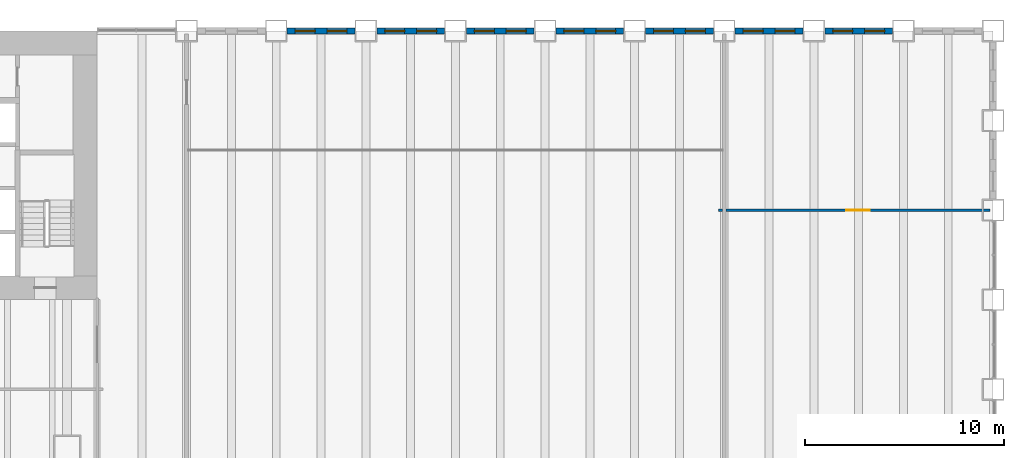
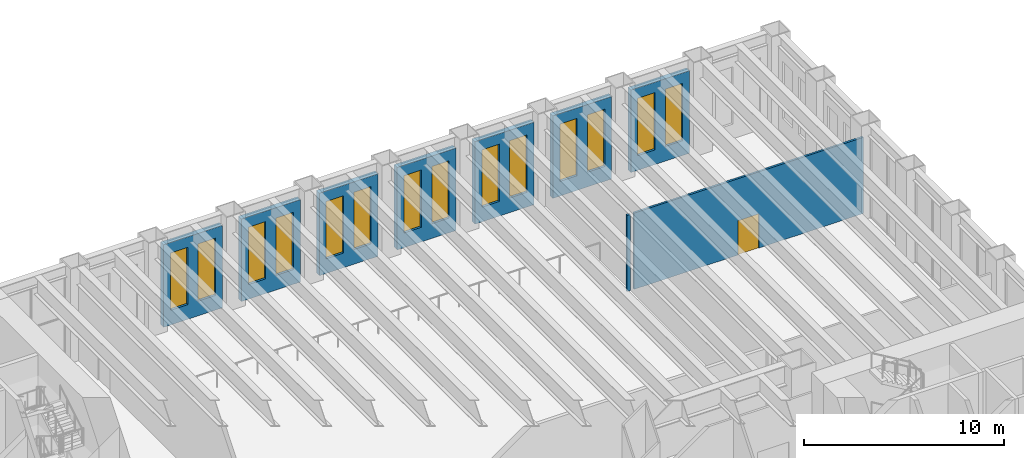
# One storey, part 13 of 19: 14 windows, 9 walls, 1 door, 15 openings.
"""IFC4 building model written with IfcOpenShell, lengths in metres."""

from ifc_helpers import new_model, si_unit, direction, frame, frame_2d, origin, place, context, subcontext, project, spatial, rectangle, extrude, material, layer, layer_set, type_object, element, fill, save


model = new_model("IFC4")

# Units and contexts
model_context = context("Model", 3, precision=1e-05, world=origin(), true_north=direction((0.0, 1.0)))
body_context = subcontext(model_context, "Body", "Model", "MODEL_VIEW")
ifc_project = project(units=[si_unit("LENGTHUNIT", "METRE"), si_unit("AREAUNIT", "SQUARE_METRE"), si_unit("VOLUMEUNIT", "CUBIC_METRE"), si_unit("PLANEANGLEUNIT", "RADIAN"), si_unit("MASSUNIT", "GRAM", prefix="KILO")], contexts=[model_context])

# Site, building, storey
site_placement = place(None, origin())
site = spatial("IfcSite", under=ifc_project, at=site_placement, CompositionType="ELEMENT")
building_placement = place(site_placement, origin())
building = spatial("IfcBuilding", under=site, at=building_placement, Name="Sennacour Bend Tower", CompositionType="ELEMENT")
storey_placement = place(building_placement, frame((0.0, 0.0, 8.0)))
storey = spatial("IfcBuildingStorey", under=building, at=storey_placement, Name="L01", CompositionType="ELEMENT", Elevation=8.0)

# Wall
ifc_material_1 = material(Name="Plasterboard partition on steel studs", Category="steel")
ifc_layer_1 = layer(ifc_material_1, 0.1201171875, Name="Plasterboard partition on steel studs", Category="steel")
ifc_layer_set_1 = layer_set([ifc_layer_1], Name="Plasterboard partition on steel studs")
wall_type_1 = type_object("IfcWallType", Name="Partition 120", PredefinedType="PARTITIONING", material=ifc_layer_set_1)
wall_1_placement = place(storey_placement, frame((53.699951171875, 40.5, 0.0), z_axis=(0.0, 0.0, 1.0), x_axis=(1.0, 0.0, 0.0)))
element("IfcWall", 1, at=wall_1_placement, inside=storey, type_object=wall_type_1, Name="P-L01-W071aa", PredefinedType="PARTITIONING", context=body_context, shape_type="SweptSolid", body=[
    extrude(rectangle(XDim=0.199951171875, YDim=0.1201171875, at=frame_2d((0.10009765625, 0.0))), origin(), (0.0, 0.0, 1.0), 4.66015625),
])

# Wall, opening, door
ifc_layer_2 = layer(ifc_material_1, 0.1201171875, Name="Plasterboard partition on steel studs", Category="steel")
ifc_layer_set_2 = layer_set([ifc_layer_2], Name="Plasterboard partition on steel studs")
wall_type_2 = type_object("IfcWallType", Name="Partition 120 EI 60", PredefinedType="PARTITIONING", material=ifc_layer_set_2)
wall_2_placement = place(storey_placement, frame((54.10009765625, 40.5, 0.0), z_axis=(0.0, 0.0, 1.0), x_axis=(1.0, 0.0, 0.0)))
wall_2 = element("IfcWall", 2, at=wall_2_placement, inside=storey, type_object=wall_type_2, Name="P-L01-W071ab", PredefinedType="PARTITIONING", context=body_context, shape_type="SweptSolid", body=[
    extrude(rectangle(XDim=13.25, YDim=0.1201171875, at=frame_2d((6.625, 0.0))), origin(), (0.0, 0.0, 1.0), 4.66015625),
])
opening_1_placement = place(wall_2_placement, frame((6.014892578125, 0.0, 0.0)))
opening_1 = element("IfcOpeningElement", 3, at=opening_1_placement, cuts=wall_2, Name="Opening SV5", PredefinedType="OPENING", context=body_context, shape_type="SweptSolid", body=[
    extrude(rectangle(XDim=1.199951171875, YDim=2.10009765625, at=frame_2d((0.60009765625, 1.050048828125))), frame((0.0, 0.070068359375, 0.0), z_axis=(0.0, -1.0, 0.0), x_axis=(1.0, 0.0, 0.0)), (0.0, 0.0, 1.0), 0.14013671875),
])
ifc_material_2 = material(Name="Painted steel", Category="steel")
door_type = type_object("IfcDoorType", Name="DR-SERVICE-1200", OperationType="NOTDEFINED", PredefinedType="DOOR", material=ifc_material_2)
door_placement = place(opening_1_placement, origin())
door = element("IfcDoor", 4, at=door_placement, inside=storey, type_object=door_type, Name="Door", OperationType="SINGLE_SWING_LEFT", OverallHeight=2.10009765625, OverallWidth=1.199951171875, PredefinedType="DOOR", context=body_context, shape_type="SweptSolid", body=[
    extrude(rectangle(XDim=1.199951171875, YDim=2.10009765625, at=frame_2d((0.60009765625, 1.050048828125))), frame((0.0, 0.02490234375, 0.0), z_axis=(0.0, -1.0, 0.0), x_axis=(1.0, 0.0, 0.0)), (0.0, 0.0, 1.0), 0.050048828125),
])
fill(opening_1, door)

# Wall, openings, windows
ifc_material_3 = material(Name="Warm limestone cladding", Category="masonry")
ifc_layer_3 = layer(ifc_material_3, 0.050048828125, Name="Warm limestone cladding", Category="masonry")
ifc_material_4 = material(Name="Precast concrete C40/50", Category="concrete")
ifc_layer_4 = layer(ifc_material_4, 0.25, Name="Precast concrete C40/50", Category="concrete")
ifc_layer_set_3 = layer_set([ifc_layer_3, ifc_layer_4], Name="Precast concrete C40/50 with limestone cladding")
wall_type_3 = type_object("IfcWallType", Name="STONE-CLAD PRECAST SPANDREL 300", PredefinedType="STANDARD", material=ifc_layer_set_3)
wall_3_placement = place(storey_placement, frame((62.449951171875, 49.5, 0.0), z_axis=(0.0, 0.0, 1.0), x_axis=(-1.0, 0.0, 0.0)))
wall_3 = element("IfcWall", 5, at=wall_3_placement, inside=storey, type_object=wall_type_3, Name="Stone spandrel and pier wall L01 01.01", PredefinedType="STANDARD", context=body_context, shape_type="SweptSolid", body=[
    extrude(rectangle(XDim=3.39990234375, YDim=0.300048828125, at=frame_2d((1.699951171875, 0.0))), origin(), (0.0, 0.0, 1.0), 5.035888671875),
])
opening_2_placement = place(wall_3_placement, frame((0.39990234375, 0.0, 0.89990234375)))
opening_2 = element("IfcOpeningElement", 6, at=opening_2_placement, cuts=wall_3, Name="Opening W1", PredefinedType="OPENING", context=body_context, shape_type="SweptSolid", body=[
    extrude(rectangle(XDim=1.0, YDim=3.5, at=frame_2d((0.5, 1.75))), frame((0.0, 0.16015625, 0.0), z_axis=(0.0, -1.0, 0.0), x_axis=(1.0, 0.0, 0.0)), (0.0, 0.0, 1.0), 0.320068359375),
])
opening_3_placement = place(wall_3_placement, frame((2.0, 0.0, 0.89990234375)))
opening_3 = element("IfcOpeningElement", 7, at=opening_3_placement, cuts=wall_3, Name="Opening W1", PredefinedType="OPENING", context=body_context, shape_type="SweptSolid", body=[
    extrude(rectangle(XDim=1.0, YDim=3.5, at=frame_2d((0.5, 1.75))), frame((0.0, 0.16015625, 0.0), z_axis=(0.0, -1.0, 0.0), x_axis=(1.0, 0.0, 0.0)), (0.0, 0.0, 1.0), 0.320068359375),
])
ifc_material_5 = material(Name="Clear low-emissivity glass", Category="glass")
window_type = type_object("IfcWindowType", Name="WIN-RIBBON-1000x3500", PartitioningType="SINGLE_PANEL", PredefinedType="WINDOW", material=ifc_material_5)
window_1_placement = place(opening_2_placement, origin())
window_1 = element("IfcWindow", 8, at=window_1_placement, inside=storey, type_object=window_type, Name="Ribbon window L01 01.01.0", OverallHeight=3.5, OverallWidth=1.0, PartitioningType="SINGLE_PANEL", PredefinedType="WINDOW", context=body_context, shape_type="SweptSolid", body=[
    extrude(rectangle(XDim=1.0, YDim=3.5, at=frame_2d((0.5, 1.75))), frame((0.0, 0.030029296875, 0.0), z_axis=(0.0, -1.0, 0.0), x_axis=(1.0, 0.0, 0.0)), (0.0, 0.0, 1.0), 0.06005859375),
])
fill(opening_2, window_1)
window_2_placement = place(opening_3_placement, origin())
window_2 = element("IfcWindow", 9, at=window_2_placement, inside=storey, type_object=window_type, Name="Ribbon window L01 01.01.1", OverallHeight=3.5, OverallWidth=1.0, PartitioningType="SINGLE_PANEL", PredefinedType="WINDOW", context=body_context, shape_type="SweptSolid", body=[
    extrude(rectangle(XDim=1.0, YDim=3.5, at=frame_2d((0.5, 1.75))), frame((0.0, 0.030029296875, 0.0), z_axis=(0.0, -1.0, 0.0), x_axis=(1.0, 0.0, 0.0)), (0.0, 0.0, 1.0), 0.06005859375),
])
fill(opening_3, window_2)

wall_4_placement = place(storey_placement, frame((57.949951171875, 49.5, 0.0), z_axis=(0.0, 0.0, 1.0), x_axis=(-1.0, 0.0, 0.0)))
wall_4 = element("IfcWall", 10, at=wall_4_placement, inside=storey, type_object=wall_type_3, Name="Stone spandrel and pier wall L01 01.02", PredefinedType="STANDARD", context=body_context, shape_type="SweptSolid", body=[
    extrude(rectangle(XDim=3.39990234375, YDim=0.300048828125, at=frame_2d((1.699951171875, 0.0))), origin(), (0.0, 0.0, 1.0), 5.035888671875),
])
opening_4_placement = place(wall_4_placement, frame((0.39990234375, 0.0, 0.89990234375)))
opening_4 = element("IfcOpeningElement", 11, at=opening_4_placement, cuts=wall_4, Name="Opening W1", PredefinedType="OPENING", context=body_context, shape_type="SweptSolid", body=[
    extrude(rectangle(XDim=1.0, YDim=3.5, at=frame_2d((0.5, 1.75))), frame((0.0, 0.16015625, 0.0), z_axis=(0.0, -1.0, 0.0), x_axis=(1.0, 0.0, 0.0)), (0.0, 0.0, 1.0), 0.320068359375),
])
opening_5_placement = place(wall_4_placement, frame((2.0, 0.0, 0.89990234375)))
opening_5 = element("IfcOpeningElement", 12, at=opening_5_placement, cuts=wall_4, Name="Opening W1", PredefinedType="OPENING", context=body_context, shape_type="SweptSolid", body=[
    extrude(rectangle(XDim=1.0, YDim=3.5, at=frame_2d((0.5, 1.75))), frame((0.0, 0.16015625, 0.0), z_axis=(0.0, -1.0, 0.0), x_axis=(1.0, 0.0, 0.0)), (0.0, 0.0, 1.0), 0.320068359375),
])
window_3_placement = place(opening_4_placement, origin())
window_3 = element("IfcWindow", 13, at=window_3_placement, inside=storey, type_object=window_type, Name="Ribbon window L01 01.02.0", OverallHeight=3.5, OverallWidth=1.0, PartitioningType="SINGLE_PANEL", PredefinedType="WINDOW", context=body_context, shape_type="SweptSolid", body=[
    extrude(rectangle(XDim=1.0, YDim=3.5, at=frame_2d((0.5, 1.75))), frame((0.0, 0.030029296875, 0.0), z_axis=(0.0, -1.0, 0.0), x_axis=(1.0, 0.0, 0.0)), (0.0, 0.0, 1.0), 0.06005859375),
])
fill(opening_4, window_3)
window_4_placement = place(opening_5_placement, origin())
window_4 = element("IfcWindow", 14, at=window_4_placement, inside=storey, type_object=window_type, Name="Ribbon window L01 01.02.1", OverallHeight=3.5, OverallWidth=1.0, PartitioningType="SINGLE_PANEL", PredefinedType="WINDOW", context=body_context, shape_type="SweptSolid", body=[
    extrude(rectangle(XDim=1.0, YDim=3.5, at=frame_2d((0.5, 1.75))), frame((0.0, 0.030029296875, 0.0), z_axis=(0.0, -1.0, 0.0), x_axis=(1.0, 0.0, 0.0)), (0.0, 0.0, 1.0), 0.06005859375),
])
fill(opening_5, window_4)

wall_5_placement = place(storey_placement, frame((53.449951171875, 49.5, 0.0), z_axis=(0.0, 0.0, 1.0), x_axis=(-1.0, 0.0, 0.0)))
wall_5 = element("IfcWall", 15, at=wall_5_placement, inside=storey, type_object=wall_type_3, Name="Stone spandrel and pier wall L01 01.03", PredefinedType="STANDARD", context=body_context, shape_type="SweptSolid", body=[
    extrude(rectangle(XDim=3.39990234375, YDim=0.300048828125, at=frame_2d((1.699951171875, 0.0))), origin(), (0.0, 0.0, 1.0), 5.035888671875),
])
opening_6_placement = place(wall_5_placement, frame((0.39990234375, 0.0, 0.89990234375)))
opening_6 = element("IfcOpeningElement", 16, at=opening_6_placement, cuts=wall_5, Name="Opening W1", PredefinedType="OPENING", context=body_context, shape_type="SweptSolid", body=[
    extrude(rectangle(XDim=1.0, YDim=3.5, at=frame_2d((0.5, 1.75))), frame((0.0, 0.16015625, 0.0), z_axis=(0.0, -1.0, 0.0), x_axis=(1.0, 0.0, 0.0)), (0.0, 0.0, 1.0), 0.320068359375),
])
opening_7_placement = place(wall_5_placement, frame((2.0, 0.0, 0.89990234375)))
opening_7 = element("IfcOpeningElement", 17, at=opening_7_placement, cuts=wall_5, Name="Opening W1", PredefinedType="OPENING", context=body_context, shape_type="SweptSolid", body=[
    extrude(rectangle(XDim=1.0, YDim=3.5, at=frame_2d((0.5, 1.75))), frame((0.0, 0.16015625, 0.0), z_axis=(0.0, -1.0, 0.0), x_axis=(1.0, 0.0, 0.0)), (0.0, 0.0, 1.0), 0.320068359375),
])
window_5_placement = place(opening_6_placement, origin())
window_5 = element("IfcWindow", 18, at=window_5_placement, inside=storey, type_object=window_type, Name="Ribbon window L01 01.03.0", OverallHeight=3.5, OverallWidth=1.0, PartitioningType="SINGLE_PANEL", PredefinedType="WINDOW", context=body_context, shape_type="SweptSolid", body=[
    extrude(rectangle(XDim=1.0, YDim=3.5, at=frame_2d((0.5, 1.75))), frame((0.0, 0.030029296875, 0.0), z_axis=(0.0, -1.0, 0.0), x_axis=(1.0, 0.0, 0.0)), (0.0, 0.0, 1.0), 0.06005859375),
])
fill(opening_6, window_5)
window_6_placement = place(opening_7_placement, origin())
window_6 = element("IfcWindow", 19, at=window_6_placement, inside=storey, type_object=window_type, Name="Ribbon window L01 01.03.1", OverallHeight=3.5, OverallWidth=1.0, PartitioningType="SINGLE_PANEL", PredefinedType="WINDOW", context=body_context, shape_type="SweptSolid", body=[
    extrude(rectangle(XDim=1.0, YDim=3.5, at=frame_2d((0.5, 1.75))), frame((0.0, 0.030029296875, 0.0), z_axis=(0.0, -1.0, 0.0), x_axis=(1.0, 0.0, 0.0)), (0.0, 0.0, 1.0), 0.06005859375),
])
fill(opening_7, window_6)

wall_6_placement = place(storey_placement, frame((48.949951171875, 49.5, 0.0), z_axis=(0.0, 0.0, 1.0), x_axis=(-1.0, 0.0, 0.0)))
wall_6 = element("IfcWall", 20, at=wall_6_placement, inside=storey, type_object=wall_type_3, Name="Stone spandrel and pier wall L01 01.04", PredefinedType="STANDARD", context=body_context, shape_type="SweptSolid", body=[
    extrude(rectangle(XDim=3.39990234375, YDim=0.300048828125, at=frame_2d((1.699951171875, 0.0))), origin(), (0.0, 0.0, 1.0), 5.035888671875),
])
opening_8_placement = place(wall_6_placement, frame((0.39990234375, 0.0, 0.89990234375)))
opening_8 = element("IfcOpeningElement", 21, at=opening_8_placement, cuts=wall_6, Name="Opening W1", PredefinedType="OPENING", context=body_context, shape_type="SweptSolid", body=[
    extrude(rectangle(XDim=1.0, YDim=3.5, at=frame_2d((0.5, 1.75))), frame((0.0, 0.16015625, 0.0), z_axis=(0.0, -1.0, 0.0), x_axis=(1.0, 0.0, 0.0)), (0.0, 0.0, 1.0), 0.320068359375),
])
opening_9_placement = place(wall_6_placement, frame((2.0, 0.0, 0.89990234375)))
opening_9 = element("IfcOpeningElement", 22, at=opening_9_placement, cuts=wall_6, Name="Opening W1", PredefinedType="OPENING", context=body_context, shape_type="SweptSolid", body=[
    extrude(rectangle(XDim=1.0, YDim=3.5, at=frame_2d((0.5, 1.75))), frame((0.0, 0.16015625, 0.0), z_axis=(0.0, -1.0, 0.0), x_axis=(1.0, 0.0, 0.0)), (0.0, 0.0, 1.0), 0.320068359375),
])
window_7_placement = place(opening_8_placement, origin())
window_7 = element("IfcWindow", 23, at=window_7_placement, inside=storey, type_object=window_type, Name="Ribbon window L01 01.04.0", OverallHeight=3.5, OverallWidth=1.0, PartitioningType="SINGLE_PANEL", PredefinedType="WINDOW", context=body_context, shape_type="SweptSolid", body=[
    extrude(rectangle(XDim=1.0, YDim=3.5, at=frame_2d((0.5, 1.75))), frame((0.0, 0.030029296875, 0.0), z_axis=(0.0, -1.0, 0.0), x_axis=(1.0, 0.0, 0.0)), (0.0, 0.0, 1.0), 0.06005859375),
])
fill(opening_8, window_7)
window_8_placement = place(opening_9_placement, origin())
window_8 = element("IfcWindow", 24, at=window_8_placement, inside=storey, type_object=window_type, Name="Ribbon window L01 01.04.1", OverallHeight=3.5, OverallWidth=1.0, PartitioningType="SINGLE_PANEL", PredefinedType="WINDOW", context=body_context, shape_type="SweptSolid", body=[
    extrude(rectangle(XDim=1.0, YDim=3.5, at=frame_2d((0.5, 1.75))), frame((0.0, 0.030029296875, 0.0), z_axis=(0.0, -1.0, 0.0), x_axis=(1.0, 0.0, 0.0)), (0.0, 0.0, 1.0), 0.06005859375),
])
fill(opening_9, window_8)

wall_7_placement = place(storey_placement, frame((44.449951171875, 49.5, 0.0), z_axis=(0.0, 0.0, 1.0), x_axis=(-1.0, 0.0, 0.0)))
wall_7 = element("IfcWall", 25, at=wall_7_placement, inside=storey, type_object=wall_type_3, Name="Stone spandrel and pier wall L01 01.05", PredefinedType="STANDARD", context=body_context, shape_type="SweptSolid", body=[
    extrude(rectangle(XDim=3.39990234375, YDim=0.300048828125, at=frame_2d((1.699951171875, 0.0))), origin(), (0.0, 0.0, 1.0), 5.035888671875),
])
opening_10_placement = place(wall_7_placement, frame((0.39990234375, 0.0, 0.89990234375)))
opening_10 = element("IfcOpeningElement", 26, at=opening_10_placement, cuts=wall_7, Name="Opening W1", PredefinedType="OPENING", context=body_context, shape_type="SweptSolid", body=[
    extrude(rectangle(XDim=1.0, YDim=3.5, at=frame_2d((0.5, 1.75))), frame((0.0, 0.16015625, 0.0), z_axis=(0.0, -1.0, 0.0), x_axis=(1.0, 0.0, 0.0)), (0.0, 0.0, 1.0), 0.320068359375),
])
opening_11_placement = place(wall_7_placement, frame((2.0, 0.0, 0.89990234375)))
opening_11 = element("IfcOpeningElement", 27, at=opening_11_placement, cuts=wall_7, Name="Opening W1", PredefinedType="OPENING", context=body_context, shape_type="SweptSolid", body=[
    extrude(rectangle(XDim=1.0, YDim=3.5, at=frame_2d((0.5, 1.75))), frame((0.0, 0.16015625, 0.0), z_axis=(0.0, -1.0, 0.0), x_axis=(1.0, 0.0, 0.0)), (0.0, 0.0, 1.0), 0.320068359375),
])
window_9_placement = place(opening_10_placement, origin())
window_9 = element("IfcWindow", 28, at=window_9_placement, inside=storey, type_object=window_type, Name="Ribbon window L01 01.05.0", OverallHeight=3.5, OverallWidth=1.0, PartitioningType="SINGLE_PANEL", PredefinedType="WINDOW", context=body_context, shape_type="SweptSolid", body=[
    extrude(rectangle(XDim=1.0, YDim=3.5, at=frame_2d((0.5, 1.75))), frame((0.0, 0.030029296875, 0.0), z_axis=(0.0, -1.0, 0.0), x_axis=(1.0, 0.0, 0.0)), (0.0, 0.0, 1.0), 0.06005859375),
])
fill(opening_10, window_9)
window_10_placement = place(opening_11_placement, origin())
window_10 = element("IfcWindow", 29, at=window_10_placement, inside=storey, type_object=window_type, Name="Ribbon window L01 01.05.1", OverallHeight=3.5, OverallWidth=1.0, PartitioningType="SINGLE_PANEL", PredefinedType="WINDOW", context=body_context, shape_type="SweptSolid", body=[
    extrude(rectangle(XDim=1.0, YDim=3.5, at=frame_2d((0.5, 1.75))), frame((0.0, 0.030029296875, 0.0), z_axis=(0.0, -1.0, 0.0), x_axis=(1.0, 0.0, 0.0)), (0.0, 0.0, 1.0), 0.06005859375),
])
fill(opening_11, window_10)

wall_8_placement = place(storey_placement, frame((39.949951171875, 49.5, 0.0), z_axis=(0.0, 0.0, 1.0), x_axis=(-1.0, 0.0, 0.0)))
wall_8 = element("IfcWall", 30, at=wall_8_placement, inside=storey, type_object=wall_type_3, Name="Stone spandrel and pier wall L01 01.06", PredefinedType="STANDARD", context=body_context, shape_type="SweptSolid", body=[
    extrude(rectangle(XDim=3.39990234375, YDim=0.300048828125, at=frame_2d((1.699951171875, 0.0))), origin(), (0.0, 0.0, 1.0), 5.035888671875),
])
opening_12_placement = place(wall_8_placement, frame((0.39990234375, 0.0, 0.89990234375)))
opening_12 = element("IfcOpeningElement", 31, at=opening_12_placement, cuts=wall_8, Name="Opening W1", PredefinedType="OPENING", context=body_context, shape_type="SweptSolid", body=[
    extrude(rectangle(XDim=1.0, YDim=3.5, at=frame_2d((0.5, 1.75))), frame((0.0, 0.16015625, 0.0), z_axis=(0.0, -1.0, 0.0), x_axis=(1.0, 0.0, 0.0)), (0.0, 0.0, 1.0), 0.320068359375),
])
opening_13_placement = place(wall_8_placement, frame((2.0, 0.0, 0.89990234375)))
opening_13 = element("IfcOpeningElement", 32, at=opening_13_placement, cuts=wall_8, Name="Opening W1", PredefinedType="OPENING", context=body_context, shape_type="SweptSolid", body=[
    extrude(rectangle(XDim=1.0, YDim=3.5, at=frame_2d((0.5, 1.75))), frame((0.0, 0.16015625, 0.0), z_axis=(0.0, -1.0, 0.0), x_axis=(1.0, 0.0, 0.0)), (0.0, 0.0, 1.0), 0.320068359375),
])
window_11_placement = place(opening_12_placement, origin())
window_11 = element("IfcWindow", 33, at=window_11_placement, inside=storey, type_object=window_type, Name="Ribbon window L01 01.06.0", OverallHeight=3.5, OverallWidth=1.0, PartitioningType="SINGLE_PANEL", PredefinedType="WINDOW", context=body_context, shape_type="SweptSolid", body=[
    extrude(rectangle(XDim=1.0, YDim=3.5, at=frame_2d((0.5, 1.75))), frame((0.0, 0.030029296875, 0.0), z_axis=(0.0, -1.0, 0.0), x_axis=(1.0, 0.0, 0.0)), (0.0, 0.0, 1.0), 0.06005859375),
])
fill(opening_12, window_11)
window_12_placement = place(opening_13_placement, origin())
window_12 = element("IfcWindow", 34, at=window_12_placement, inside=storey, type_object=window_type, Name="Ribbon window L01 01.06.1", OverallHeight=3.5, OverallWidth=1.0, PartitioningType="SINGLE_PANEL", PredefinedType="WINDOW", context=body_context, shape_type="SweptSolid", body=[
    extrude(rectangle(XDim=1.0, YDim=3.5, at=frame_2d((0.5, 1.75))), frame((0.0, 0.030029296875, 0.0), z_axis=(0.0, -1.0, 0.0), x_axis=(1.0, 0.0, 0.0)), (0.0, 0.0, 1.0), 0.06005859375),
])
fill(opening_13, window_12)

wall_9_placement = place(storey_placement, frame((35.449951171875, 49.5, 0.0), z_axis=(0.0, 0.0, 1.0), x_axis=(-1.0, 0.0, 0.0)))
wall_9 = element("IfcWall", 35, at=wall_9_placement, inside=storey, type_object=wall_type_3, Name="Stone spandrel and pier wall L01 01.07", PredefinedType="STANDARD", context=body_context, shape_type="SweptSolid", body=[
    extrude(rectangle(XDim=3.39990234375, YDim=0.300048828125, at=frame_2d((1.699951171875, 0.0))), origin(), (0.0, 0.0, 1.0), 5.035888671875),
])
opening_14_placement = place(wall_9_placement, frame((0.39990234375, 0.0, 0.89990234375)))
opening_14 = element("IfcOpeningElement", 36, at=opening_14_placement, cuts=wall_9, Name="Opening W1", PredefinedType="OPENING", context=body_context, shape_type="SweptSolid", body=[
    extrude(rectangle(XDim=1.0, YDim=3.5, at=frame_2d((0.5, 1.75))), frame((0.0, 0.16015625, 0.0), z_axis=(0.0, -1.0, 0.0), x_axis=(1.0, 0.0, 0.0)), (0.0, 0.0, 1.0), 0.320068359375),
])
opening_15_placement = place(wall_9_placement, frame((2.0, 0.0, 0.89990234375)))
opening_15 = element("IfcOpeningElement", 37, at=opening_15_placement, cuts=wall_9, Name="Opening W1", PredefinedType="OPENING", context=body_context, shape_type="SweptSolid", body=[
    extrude(rectangle(XDim=1.0, YDim=3.5, at=frame_2d((0.5, 1.75))), frame((0.0, 0.16015625, 0.0), z_axis=(0.0, -1.0, 0.0), x_axis=(1.0, 0.0, 0.0)), (0.0, 0.0, 1.0), 0.320068359375),
])
window_13_placement = place(opening_14_placement, origin())
window_13 = element("IfcWindow", 38, at=window_13_placement, inside=storey, type_object=window_type, Name="Ribbon window L01 01.07.0", OverallHeight=3.5, OverallWidth=1.0, PartitioningType="SINGLE_PANEL", PredefinedType="WINDOW", context=body_context, shape_type="SweptSolid", body=[
    extrude(rectangle(XDim=1.0, YDim=3.5, at=frame_2d((0.5, 1.75))), frame((0.0, 0.030029296875, 0.0), z_axis=(0.0, -1.0, 0.0), x_axis=(1.0, 0.0, 0.0)), (0.0, 0.0, 1.0), 0.06005859375),
])
fill(opening_14, window_13)
window_14_placement = place(opening_15_placement, origin())
window_14 = element("IfcWindow", 39, at=window_14_placement, inside=storey, type_object=window_type, Name="Ribbon window L01 01.07.1", OverallHeight=3.5, OverallWidth=1.0, PartitioningType="SINGLE_PANEL", PredefinedType="WINDOW", context=body_context, shape_type="SweptSolid", body=[
    extrude(rectangle(XDim=1.0, YDim=3.5, at=frame_2d((0.5, 1.75))), frame((0.0, 0.030029296875, 0.0), z_axis=(0.0, -1.0, 0.0), x_axis=(1.0, 0.0, 0.0)), (0.0, 0.0, 1.0), 0.06005859375),
])
fill(opening_15, window_14)

save(model, "model.ifc")
